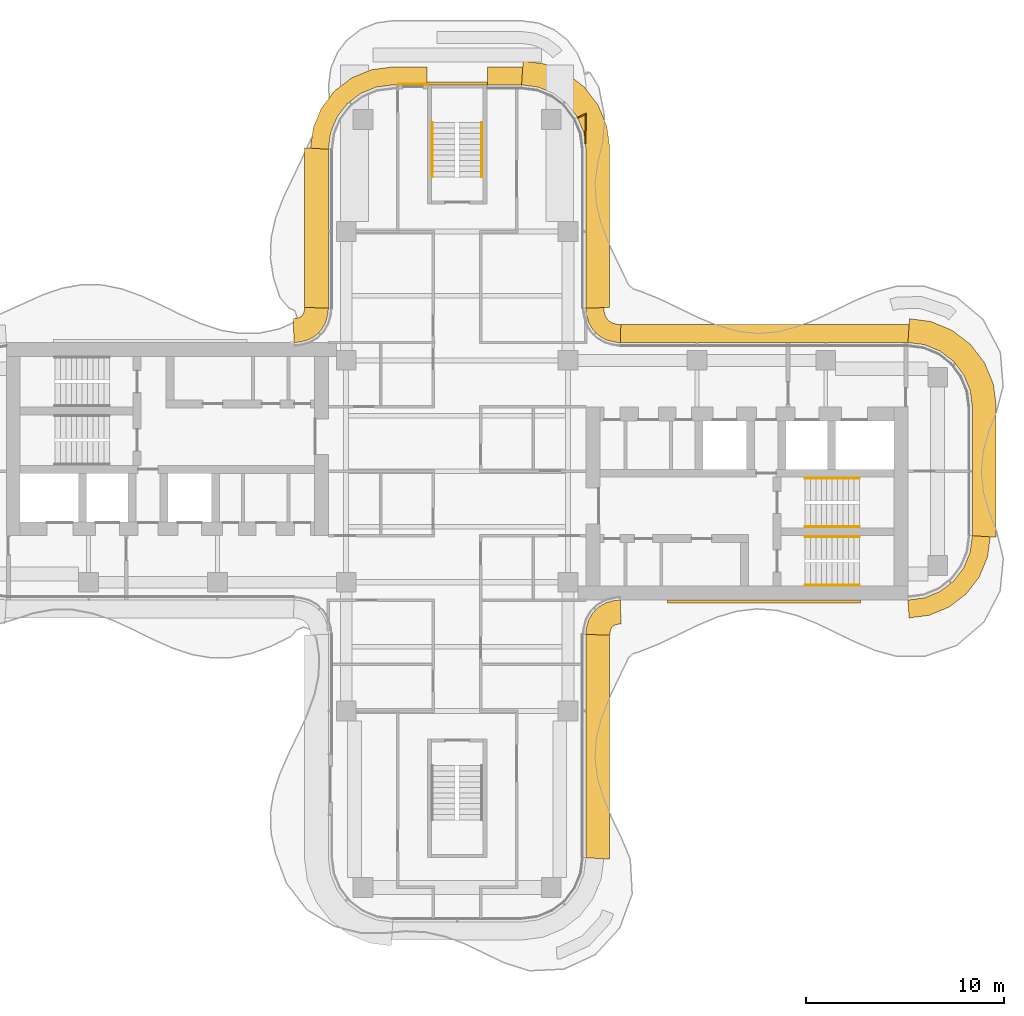
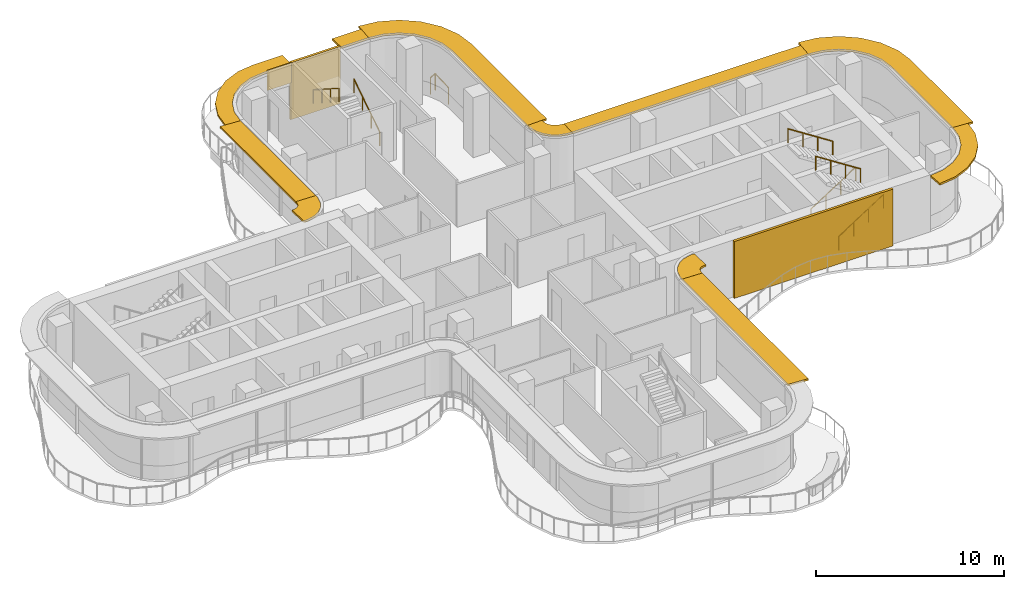
# One storey, part 16 of 16: 11 shading devices, 7 railings, 3 coverings.
"""IFC4 building model written with IfcOpenShell, lengths in metres."""

from ifc_helpers import new_model, si_unit, direction, frame, origin, origin_2d, place, context, subcontext, project, spatial, polyline, rectangle, circle, outline, extrude, source, transform, mapped, material, layer, layer_set, type_object, element, save


model = new_model("IFC4")

# Units and contexts
model_context = context("Model", 3, precision=1e-05, world=origin(), true_north=direction((0.0, 1.0)))
body_context = subcontext(model_context, "Body", "Model", "MODEL_VIEW")
ifc_project = project(units=[si_unit("LENGTHUNIT", "METRE"), si_unit("AREAUNIT", "SQUARE_METRE"), si_unit("VOLUMEUNIT", "CUBIC_METRE"), si_unit("PLANEANGLEUNIT", "RADIAN"), si_unit("MASSUNIT", "GRAM", prefix="KILO")], contexts=[model_context])

# Site, building, storey
site_placement = place(None, origin())
site = spatial("IfcSite", under=ifc_project, at=site_placement, CompositionType="ELEMENT")
building_placement = place(site_placement, origin())
building = spatial("IfcBuilding", under=site, at=building_placement, Name="Trellis Farm Tower", CompositionType="ELEMENT")
storey_placement = place(building_placement, frame((0.0, 0.0, 302.800048828125)))
storey = spatial("IfcBuildingStorey", under=building, at=storey_placement, Name="L68", CompositionType="ELEMENT", Elevation=302.800048828125)

# Covering
ifc_material_1 = material(Name="Sandstone", Category="masonry")
ifc_layer_1 = layer(ifc_material_1, 0.050048828125)
ifc_layer_set_1 = layer_set([ifc_layer_1], Name="STONE CLADDING PANEL")
covering_type_1 = type_object("IfcCoveringType", Name="STONE CLADDING PANEL", PredefinedType="CLADDING", material=ifc_layer_set_1)
covering_1_placement = place(storey_placement, frame((0.0, 0.0, 2.39990234375)))
element("IfcCovering", 1, at=covering_1_placement, inside=storey, type_object=covering_type_1, Name="CD1 02", PredefinedType="CLADDING", context=body_context, shape_type="SweptSolid", body=[
    extrude(outline(polyline([(-1.47998046875, 19.550048828125), (-2.97998046875, 19.550048828125), (-2.97998046875, 19.5), (-1.47998046875, 19.5), (-1.47998046875, 19.550048828125)])), origin(), (0.0, 0.0, 1.0), 1.300048828125),
])

# Railings
ifc_material_2 = material(Name="Stainless steel", Category="steel")
railing_type_1 = type_object("IfcRailingType", Name="STAIR HANDRAIL 900", PredefinedType="HANDRAIL", material=ifc_material_2)
shared_shape_1 = source(origin(), body_context, "Body", "SweptSolid", [
    extrude(circle(Radius=0.02392578125, at=origin_2d()), frame((0.0, 0.0, 0.8759765625), z_axis=(0.0, 0.840503830235, 0.541805602924), x_axis=(-1.0, 0.0, 0.0)), (0.0, 0.0, 1.0), 3.271728515625),
    extrude(circle(Radius=0.02099609375, at=origin_2d()), origin(), (0.0, 0.0, 1.0), 0.851806640625),
    extrude(circle(Radius=0.02099609375, at=origin_2d()), frame((0.0, 0.916748046875, 0.5908203125)), (0.0, 0.0, 1.0), 0.851806640625),
    extrude(circle(Radius=0.02099609375, at=origin_2d()), frame((0.0, 1.833251953125, 1.181884765625)), (0.0, 0.0, 1.0), 0.851806640625),
    extrude(circle(Radius=0.02099609375, at=origin_2d()), frame((0.0, 2.75, 1.772705078125)), (0.0, 0.0, 1.0), 0.851806640625),
])
railing_1_placement = place(storey_placement, frame((1.25, 14.85009765625, 0.17724609375)))
element("IfcRailing", 2, at=railing_1_placement, inside=storey, type_object=railing_type_1, Name="Stair handrail", PredefinedType="HANDRAIL", context=body_context, shape_type="MappedRepresentation", body=[
    mapped(shared_shape_1, transform((0.0, 0.0, 0.0))),
])
shared_shape_2 = source(origin(), body_context, "Body", "SweptSolid", [
    extrude(circle(Radius=0.02392578125, at=origin_2d()), frame((0.0, 0.0, 0.8759765625), z_axis=(0.0, -0.840503830235, 0.541805602924), x_axis=(1.0, 0.0, 0.0)), (0.0, 0.0, 1.0), 3.271728515625),
    extrude(circle(Radius=0.02099609375, at=origin_2d()), origin(), (0.0, 0.0, 1.0), 0.851806640625),
    extrude(circle(Radius=0.02099609375, at=origin_2d()), frame((0.0, -0.916748046875, 0.5908203125)), (0.0, 0.0, 1.0), 0.851806640625),
    extrude(circle(Radius=0.02099609375, at=origin_2d()), frame((0.0, -1.833251953125, 1.181884765625)), (0.0, 0.0, 1.0), 0.851806640625),
    extrude(circle(Radius=0.02099609375, at=origin_2d()), frame((0.0, -2.75, 1.772705078125)), (0.0, 0.0, 1.0), 0.851806640625),
])
railing_2_placement = place(storey_placement, frame((-1.25, 17.60009765625, 2.127197265625)))
element("IfcRailing", 3, at=railing_2_placement, inside=storey, type_object=railing_type_1, Name="Stair handrail", PredefinedType="HANDRAIL", context=body_context, shape_type="MappedRepresentation", body=[
    mapped(shared_shape_2, transform((0.0, 0.0, 0.0))),
])
shared_shape_3 = source(origin(), body_context, "Body", "SweptSolid", [
    extrude(circle(Radius=0.02392578125, at=origin_2d()), frame((0.0, 0.0, 0.8759765625), z_axis=(0.840503830235, 0.0, 0.541805602924), x_axis=(0.0, 1.0, 0.0)), (0.0, 0.0, 1.0), 3.271728515625),
    extrude(circle(Radius=0.02099609375, at=origin_2d()), origin(), (0.0, 0.0, 1.0), 0.851806640625),
    extrude(circle(Radius=0.02099609375, at=origin_2d()), frame((0.916748046875, 0.0, 0.5908203125)), (0.0, 0.0, 1.0), 0.851806640625),
    extrude(circle(Radius=0.02099609375, at=origin_2d()), frame((1.833251953125, 0.0, 1.181884765625)), (0.0, 0.0, 1.0), 0.851806640625),
    extrude(circle(Radius=0.02099609375, at=origin_2d()), frame((2.75, 0.0, 1.772705078125)), (0.0, 0.0, 1.0), 0.851806640625),
])
for number, where, name in (
    (4, (17.550048828125, -5.75, 0.17724609375), "Stair handrail"),
    (5, (17.550048828125, -2.800048828125, 0.17724609375), "Stair handrail"),
):
    element("IfcRailing", number, at=place(storey_placement, frame(where)), inside=storey, type_object=railing_type_1, Name=name, PredefinedType="HANDRAIL", context=body_context, shape_type="MappedRepresentation", body=[
        mapped(shared_shape_3, transform((0.0, 0.0, 0.0))),
    ])
shared_shape_4 = source(origin(), body_context, "Body", "SweptSolid", [
    extrude(circle(Radius=0.02392578125, at=origin_2d()), frame((0.0, 0.0, 0.8759765625), z_axis=(-0.840503830235, 0.0, 0.541805602924), x_axis=(0.0, -1.0, 0.0)), (0.0, 0.0, 1.0), 3.271728515625),
    extrude(circle(Radius=0.02099609375, at=origin_2d()), origin(), (0.0, 0.0, 1.0), 0.851806640625),
    extrude(circle(Radius=0.02099609375, at=origin_2d()), frame((-0.916748046875, 0.0, 0.5908203125)), (0.0, 0.0, 1.0), 0.851806640625),
    extrude(circle(Radius=0.02099609375, at=origin_2d()), frame((-1.833251953125, 0.0, 1.181884765625)), (0.0, 0.0, 1.0), 0.851806640625),
    extrude(circle(Radius=0.02099609375, at=origin_2d()), frame((-2.75, 0.0, 1.772705078125)), (0.0, 0.0, 1.0), 0.851806640625),
])
for number, where, name in (
    (6, (20.300048828125, -3.300048828125, 2.127197265625), "Stair handrail"),
    (7, (20.300048828125, -0.35009765625, 2.127197265625), "Stair handrail"),
):
    element("IfcRailing", number, at=place(storey_placement, frame(where)), inside=storey, type_object=railing_type_1, Name=name, PredefinedType="HANDRAIL", context=body_context, shape_type="MappedRepresentation", body=[
        mapped(shared_shape_4, transform((0.0, 0.0, 0.0))),
    ])

# Shading devices
ifc_material_3 = material(Name="Aluminium extrusion 6063-T6", Category="aluminium")
ifc_layer_2 = layer(ifc_material_3, 0.1201171875)
ifc_layer_set_2 = layer_set([ifc_layer_2], Name="SUNSHADE BLADE 1200")
shading_device_type_1 = type_object("IfcShadingDeviceType", Name="SUNSHADE BLADE 1200", PredefinedType="USERDEFINED", material=ifc_layer_set_2)
shared_shape_5 = source(origin(), body_context, "Body", "SweptSolid", [
    extrude(outline(polyline([(7.699951171875, -8.270751953125), (7.708740234375, -8.13720703125), (7.70703125, -8.150146484375), (7.7548828125, -7.9716796875), (7.80712890625, -7.881103515625), (7.881103515625, -7.80712890625), (7.9716796875, -7.7548828125), (8.150146484375, -7.70703125), (8.13720703125, -7.708740234375), (8.270751953125, -7.699951171875), (8.2314453125, -6.5), (8.01953125, -6.513916015625), (7.91552734375, -6.527587890625), (7.508544921875, -6.63671875), (7.144287109375, -6.846923828125), (6.846923828125, -7.144287109375), (6.63671875, -7.508544921875), (6.527587890625, -7.91552734375), (6.513916015625, -8.01953125), (6.5, -8.2314453125), (7.699951171875, -8.270751953125)])), origin(), (0.0, 0.0, 1.0), 0.119873046875),
])
placement_1 = place(storey_placement, frame((0.0, 0.0, 3.5400390625)))
element("IfcShadingDevice", 8, at=placement_1, inside=storey, type_object=shading_device_type_1, Name="SD2 006", ObjectType="SUNSHADE", PredefinedType="USERDEFINED", context=body_context, shape_type="MappedRepresentation", body=[
    mapped(shared_shape_5, transform((0.0, 0.0, 0.0))),
])
ifc_layer_3 = layer(ifc_material_3, 0.1201171875)
ifc_layer_set_3 = layer_set([ifc_layer_3], Name="SUNSHADE BLADE 900")
shading_device_type_2 = type_object("IfcShadingDeviceType", Name="SUNSHADE BLADE 900", PredefinedType="USERDEFINED", material=ifc_layer_set_3)
shared_shape_6 = source(origin(), body_context, "Body", "SweptSolid", [
    extrude(outline(polyline([(8.2607421875, 7.39990234375), (8.107666015625, 7.409912109375), (8.091552734375, 7.412109375), (7.85595703125, 7.475341796875), (7.697021484375, 7.567138671875), (7.567138671875, 7.697021484375), (7.475341796875, 7.85595703125), (7.412109375, 8.091552734375), (7.409912109375, 8.107666015625), (7.39990234375, 8.2607421875), (6.5, 8.2314453125), (6.513916015625, 8.01953125), (6.527587890625, 7.91552734375), (6.63671875, 7.508544921875), (6.846923828125, 7.144287109375), (7.144287109375, 6.846923828125), (7.508544921875, 6.63671875), (7.91552734375, 6.527587890625), (8.01953125, 6.513916015625), (8.2314453125, 6.5), (8.2607421875, 7.39990234375)])), origin(), (0.0, 0.0, 1.0), 0.119873046875),
])
element("IfcShadingDevice", 9, at=placement_1, inside=storey, type_object=shading_device_type_2, Name="SD1 010", ObjectType="SUNSHADE", PredefinedType="USERDEFINED", context=body_context, shape_type="MappedRepresentation", body=[
    mapped(shared_shape_6, transform((0.0, 0.0, 0.0))),
])
shared_shape_7 = source(origin(), body_context, "Body", "SweptSolid", [
    extrude(outline(polyline([(-7.699951171875, 8.270751953125), (-7.708740234375, 8.13720703125), (-7.70703125, 8.150146484375), (-7.7548828125, 7.9716796875), (-7.80712890625, 7.881103515625), (-7.881103515625, 7.80712890625), (-7.9716796875, 7.7548828125), (-8.150146484375, 7.70703125), (-8.13720703125, 7.708740234375), (-8.270751953125, 7.699951171875), (-8.2314453125, 6.5), (-8.01953125, 6.513916015625), (-7.91552734375, 6.527587890625), (-7.508544921875, 6.63671875), (-7.144287109375, 6.846923828125), (-6.846923828125, 7.144287109375), (-6.63671875, 7.508544921875), (-6.527587890625, 7.91552734375), (-6.513916015625, 8.01953125), (-6.5, 8.2314453125), (-7.699951171875, 8.270751953125)])), origin(), (0.0, 0.0, 1.0), 0.119873046875),
])
element("IfcShadingDevice", 10, at=placement_1, inside=storey, type_object=shading_device_type_1, Name="SD2 015", ObjectType="SUNSHADE", PredefinedType="USERDEFINED", context=body_context, shape_type="MappedRepresentation", body=[
    mapped(shared_shape_7, transform((0.0, 0.0, 0.0))),
])

# Covering
ifc_material_4 = material(Name="Perforated precast screen (cobogo)", Category="concrete")
ifc_layer_4 = layer(ifc_material_4, 0.14990234375)
ifc_layer_set_4 = layer_set([ifc_layer_4], Name="COBOGO SCREEN PANEL")
covering_type_2 = type_object("IfcCoveringType", Name="COBOGO SCREEN PANEL", PredefinedType="USERDEFINED", material=ifc_layer_set_4)
shared_shape_8 = source(origin(), body_context, "Body", "SweptSolid", [
    extrude(outline(polyline([(10.61572265625, -6.64990234375), (20.36572265625, -6.64990234375), (20.36572265625, -6.5), (10.61572265625, -6.5), (10.61572265625, -6.64990234375)])), origin(), (0.0, 0.0, 1.0), 3.699951171875),
])
placement_2 = place(storey_placement, origin())
element("IfcCovering", 11, at=placement_2, inside=storey, type_object=covering_type_2, Name="SC1 01", ObjectType="SCREEN", PredefinedType="USERDEFINED", context=body_context, shape_type="MappedRepresentation", body=[
    mapped(shared_shape_8, transform((0.0, 0.0, 0.0))),
])

# Shading devices
shared_shape_9 = source(origin(), body_context, "Body", "SweptSolid", [
    extrude(outline(polyline([(22.80908203125, -7.39990234375), (23.826171875, -7.26611328125), (24.828857421875, -6.850830078125), (25.68994140625, -6.18994140625), (26.350830078125, -5.328857421875), (26.76611328125, -4.326171875), (26.89990234375, -3.30908203125), (26.0, -3.25), (25.88916015625, -4.091064453125), (25.564697265625, -4.875), (25.048095703125, -5.548095703125), (24.375, -6.064697265625), (23.591064453125, -6.38916015625), (22.75, -6.5), (22.80908203125, -7.39990234375)])), origin(), (0.0, 0.0, 1.0), 0.119873046875),
])
element("IfcShadingDevice", 12, at=placement_1, inside=storey, type_object=shading_device_type_2, Name="SD1 007", ObjectType="SUNSHADE", PredefinedType="USERDEFINED", context=body_context, shape_type="MappedRepresentation", body=[
    mapped(shared_shape_9, transform((0.0, 0.0, 0.0))),
])
shared_shape_10 = source(origin(), body_context, "Body", "SweptSolid", [
    extrude(outline(polyline([(27.199951171875, -3.32861328125), (27.199951171875, 3.32861328125), (27.058349609375, 4.404541015625), (26.61279296875, 5.480224609375), (25.904052734375, 6.404052734375), (24.980224609375, 7.11279296875), (23.904541015625, 7.558349609375), (22.82861328125, 7.699951171875), (22.75, 6.5), (23.591064453125, 6.38916015625), (24.375, 6.064697265625), (25.048095703125, 5.548095703125), (25.564697265625, 4.875), (25.88916015625, 4.091064453125), (26.0, 3.25), (26.0, -3.25), (27.199951171875, -3.32861328125)])), origin(), (0.0, 0.0, 1.0), 0.119873046875),
])
element("IfcShadingDevice", 13, at=placement_1, inside=storey, type_object=shading_device_type_1, Name="SD2 008", ObjectType="SUNSHADE", PredefinedType="USERDEFINED", context=body_context, shape_type="MappedRepresentation", body=[
    mapped(shared_shape_10, transform((0.0, 0.0, 0.0))),
])
shared_shape_11 = source(origin(), body_context, "Body", "SweptSolid", [
    extrude(outline(polyline([(22.80908203125, 7.39990234375), (8.2607421875, 7.39990234375), (8.2314453125, 6.5), (22.75, 6.5), (22.80908203125, 7.39990234375)])), origin(), (0.0, 0.0, 1.0), 0.119873046875),
])
element("IfcShadingDevice", 14, at=placement_1, inside=storey, type_object=shading_device_type_2, Name="SD1 009", ObjectType="SUNSHADE", PredefinedType="USERDEFINED", context=body_context, shape_type="MappedRepresentation", body=[
    mapped(shared_shape_11, transform((0.0, 0.0, 0.0))),
])
shared_shape_12 = source(origin(), body_context, "Body", "SweptSolid", [
    extrude(outline(polyline([(7.699951171875, -19.57861328125), (7.699951171875, -8.270751953125), (6.5, -8.2314453125), (6.5, -19.5), (7.699951171875, -19.57861328125)])), origin(), (0.0, 0.0, 1.0), 0.119873046875),
])
element("IfcShadingDevice", 15, at=placement_1, inside=storey, type_object=shading_device_type_1, Name="SD2 005", ObjectType="SUNSHADE", PredefinedType="USERDEFINED", context=body_context, shape_type="MappedRepresentation", body=[
    mapped(shared_shape_12, transform((0.0, 0.0, 0.0))),
])

# Railing
ifc_material_5 = material(Name="Stainless steel 316", Category="steel")
railing_type_2 = type_object("IfcRailingType", Name="BALUSTRADE GUARD 1100", PredefinedType="GUARDRAIL", material=ifc_material_5)
shared_shape_13 = source(origin(), body_context, "Body", "SweptSolid", [
    extrude(rectangle(XDim=0.050048828125, YDim=0.050048828125, at=origin_2d()), frame((0.0, 0.0, 1.0751953125), z_axis=(0.026650654848, 0.999644808217, 0.0), x_axis=(-0.999644808217, 0.026650654848, 0.0)), (0.0, 0.0, 1.0), 1.4931640625),
    extrude(rectangle(XDim=0.050048828125, YDim=0.050048828125, at=origin_2d()), frame((0.039794921875, 1.49267578125, 1.0751953125), z_axis=(-0.901514911476, -0.432748037993, 0.0), x_axis=(0.432748037993, -0.901514911476, 0.0)), (0.0, 0.0, 1.0), 0.4677734375),
    extrude(rectangle(XDim=0.0400390625, YDim=0.0400390625, at=origin_2d()), origin(), (0.0, 0.0, 1.0), 1.050048828125),
    extrude(rectangle(XDim=0.0400390625, YDim=0.0400390625, at=origin_2d()), frame((0.039794921875, 1.49267578125, 0.0)), (0.0, 0.0, 1.0), 1.050048828125),
    extrude(rectangle(XDim=0.0400390625, YDim=0.0400390625, at=origin_2d()), frame((-0.3818359375, 1.290283203125, 0.0)), (0.0, 0.0, 1.0), 1.050048828125),
])
railing_3_placement = place(storey_placement, frame((6.460205078125, 16.55126953125, 0.0)))
element("IfcRailing", 16, at=railing_3_placement, inside=storey, type_object=railing_type_2, Name="GD1 BAL-2", PredefinedType="GUARDRAIL", context=body_context, shape_type="MappedRepresentation", body=[
    mapped(shared_shape_13, transform((0.0, 0.0, 0.0))),
])

# Covering
shared_shape_14 = source(origin(), body_context, "Body", "SweptSolid", [
    extrude(outline(polyline([(1.530029296875, 19.64990234375), (-1.530029296875, 19.64990234375), (-1.530029296875, 19.5), (1.530029296875, 19.5), (1.530029296875, 19.64990234375)])), origin(), (0.0, 0.0, 1.0), 3.699951171875),
])
element("IfcCovering", 17, at=placement_2, inside=storey, type_object=covering_type_2, Name="SC1 02", ObjectType="SCREEN", PredefinedType="USERDEFINED", context=body_context, shape_type="MappedRepresentation", body=[
    mapped(shared_shape_14, transform((0.0, 0.0, 0.0))),
])

# Shading devices
shared_shape_15 = source(origin(), body_context, "Body", "SweptSolid", [
    extrude(outline(polyline([(7.699951171875, 8.270751953125), (7.699951171875, 16.32861328125), (7.558349609375, 17.404541015625), (7.11279296875, 18.480224609375), (6.404052734375, 19.404052734375), (5.480224609375, 20.11279296875), (4.404541015625, 20.558349609375), (3.32861328125, 20.699951171875), (3.25, 19.5), (4.091064453125, 19.38916015625), (4.875, 19.064697265625), (5.548095703125, 18.548095703125), (6.064697265625, 17.875), (6.38916015625, 17.091064453125), (6.5, 16.25), (6.5, 8.2314453125), (7.699951171875, 8.270751953125)])), origin(), (0.0, 0.0, 1.0), 0.119873046875),
])
element("IfcShadingDevice", 18, at=placement_1, inside=storey, type_object=shading_device_type_1, Name="SD2 011", ObjectType="SUNSHADE", PredefinedType="USERDEFINED", context=body_context, shape_type="MappedRepresentation", body=[
    mapped(shared_shape_15, transform((0.0, 0.0, 0.0))),
])
shared_shape_16 = source(origin(), body_context, "Body", "SweptSolid", [
    extrude(outline(polyline([(3.30908203125, 20.39990234375), (1.530029296875, 20.39990234375), (1.530029296875, 19.5), (3.25, 19.5), (3.30908203125, 20.39990234375)])), origin(), (0.0, 0.0, 1.0), 0.119873046875),
])
element("IfcShadingDevice", 19, at=placement_1, inside=storey, type_object=shading_device_type_2, Name="SD1 012", ObjectType="SUNSHADE", PredefinedType="USERDEFINED", context=body_context, shape_type="MappedRepresentation", body=[
    mapped(shared_shape_16, transform((0.0, 0.0, 0.0))),
])
shared_shape_17 = source(origin(), body_context, "Body", "SweptSolid", [
    extrude(outline(polyline([(-1.530029296875, 20.39990234375), (-3.30908203125, 20.39990234375), (-4.326171875, 20.26611328125), (-5.328857421875, 19.850830078125), (-6.18994140625, 19.18994140625), (-6.850830078125, 18.328857421875), (-7.26611328125, 17.326171875), (-7.39990234375, 16.30908203125), (-6.5, 16.25), (-6.38916015625, 17.091064453125), (-6.064697265625, 17.875), (-5.548095703125, 18.548095703125), (-4.875, 19.064697265625), (-4.091064453125, 19.38916015625), (-3.25, 19.5), (-1.530029296875, 19.5), (-1.530029296875, 20.39990234375)])), origin(), (0.0, 0.0, 1.0), 0.119873046875),
])
element("IfcShadingDevice", 20, at=placement_1, inside=storey, type_object=shading_device_type_2, Name="SD1 013", ObjectType="SUNSHADE", PredefinedType="USERDEFINED", context=body_context, shape_type="MappedRepresentation", body=[
    mapped(shared_shape_17, transform((0.0, 0.0, 0.0))),
])
shared_shape_18 = source(origin(), body_context, "Body", "SweptSolid", [
    extrude(outline(polyline([(-7.699951171875, 16.32861328125), (-7.699951171875, 8.270751953125), (-6.5, 8.2314453125), (-6.5, 16.25), (-7.699951171875, 16.32861328125)])), origin(), (0.0, 0.0, 1.0), 0.119873046875),
])
element("IfcShadingDevice", 21, at=placement_1, inside=storey, type_object=shading_device_type_1, Name="SD2 014", ObjectType="SUNSHADE", PredefinedType="USERDEFINED", context=body_context, shape_type="MappedRepresentation", body=[
    mapped(shared_shape_18, transform((0.0, 0.0, 0.0))),
])

save(model, "model.ifc")
